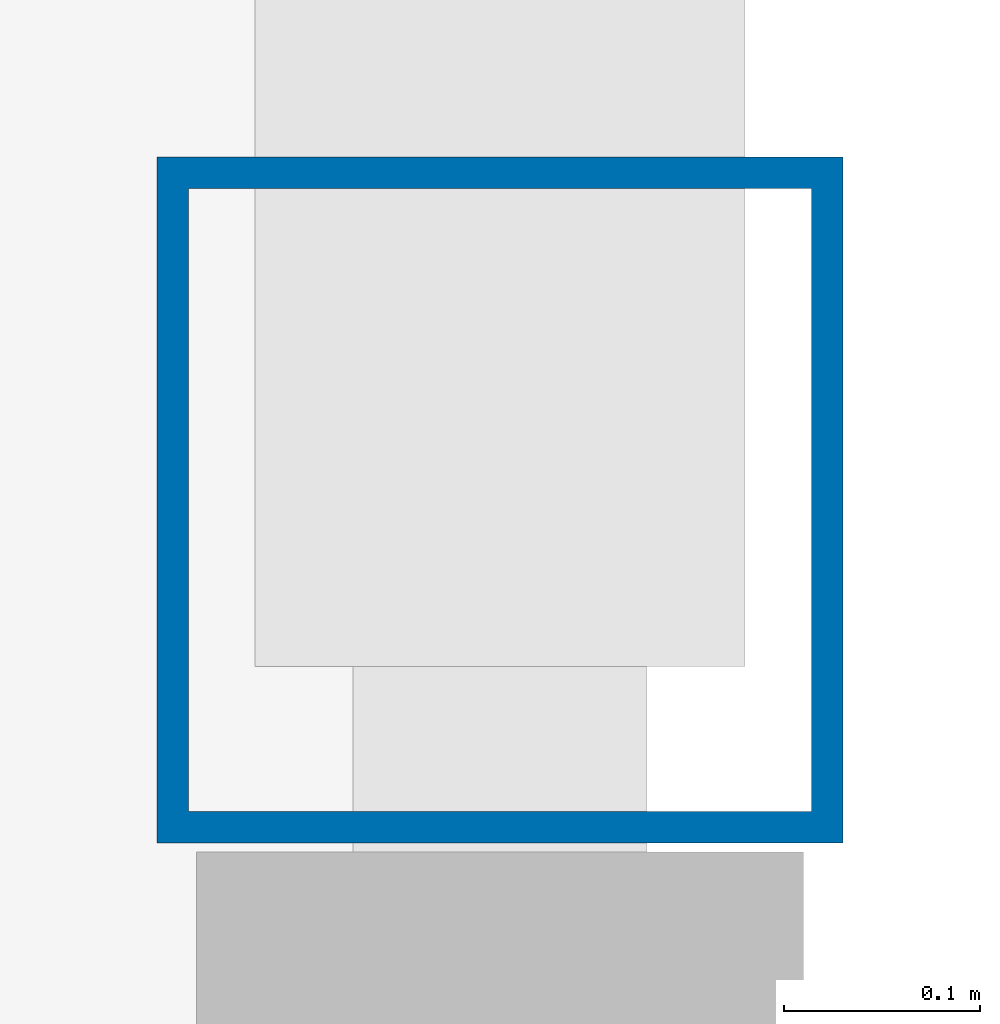
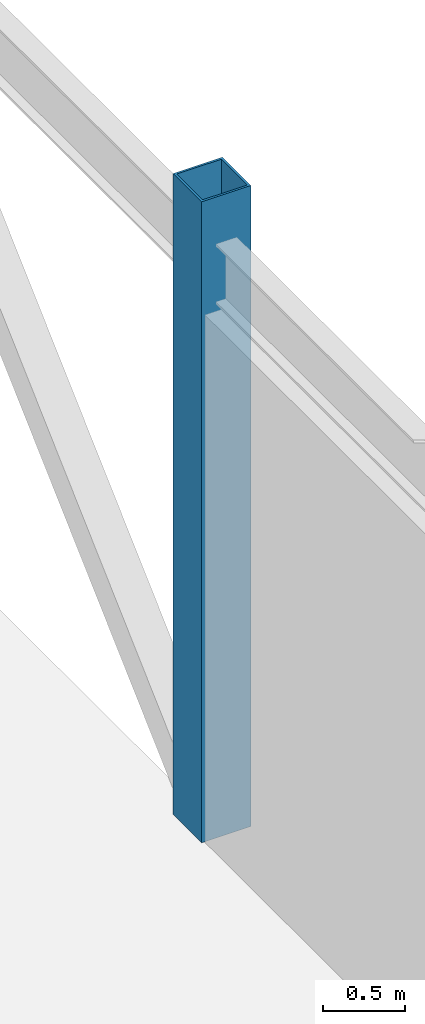
# One storey, part 12 of 82: 1 column.
"""IFC4 building model written with IfcOpenShell, lengths in metres."""

from ifc_helpers import new_model, si_unit, direction, frame, origin, origin_2d, place, context, subcontext, project, spatial, hollow_rectangle, extrude, material, material_profile, profile_set, type_object, element, save


model = new_model("IFC4")

# Units and contexts
model_context = context("Model", 3, precision=1e-05, world=origin(), true_north=direction((0.0, 1.0)))
body_context = subcontext(model_context, "Body", "Model", "MODEL_VIEW")
ifc_project = project(units=[si_unit("LENGTHUNIT", "METRE"), si_unit("AREAUNIT", "SQUARE_METRE"), si_unit("VOLUMEUNIT", "CUBIC_METRE"), si_unit("PLANEANGLEUNIT", "RADIAN"), si_unit("MASSUNIT", "GRAM", prefix="KILO")], contexts=[model_context])

# Site, building, storey
site_placement = place(None, origin())
site = spatial("IfcSite", under=ifc_project, at=site_placement, CompositionType="ELEMENT")
building_placement = place(site_placement, origin())
building = spatial("IfcBuilding", under=site, at=building_placement, Name="Suirenkawa Promenade Aquatics Centre", CompositionType="ELEMENT")
storey_placement = place(building_placement, origin())
storey = spatial("IfcBuildingStorey", under=building, at=storey_placement, Name="L00", CompositionType="ELEMENT", Elevation=0.0)

# Column
ifc_material = material(Name="Steel IS 2062 E350 (Grade 350)", Category="steel")
ifc_material_profile = material_profile(ifc_material, hollow_rectangle(XDim=0.35009765625, YDim=0.35009765625, WallThickness=0.01611328125, at=origin_2d()), Name="SHS 350x350x16", Category="steel")
ifc_profile_set = profile_set([ifc_material_profile], Name="Steel IS 2062 E350 (Grade 350)")
column_type = type_object("IfcColumnType", Name="CT-STL-SHS350", PredefinedType="COLUMN", material=ifc_profile_set)
column_placement = place(storey_placement, frame((194.39990234375, 59.39990234375, 0.0), z_axis=(0.0, 0.0, 1.0), x_axis=(1.0, 0.0, 0.0)))
element("IfcColumn", 1, at=column_placement, inside=storey, type_object=column_type, Name="Column CL-15 COL-0629", PredefinedType="COLUMN", context=body_context, shape_type="SweptSolid", body=[
    extrude(hollow_rectangle(XDim=0.35009765625, YDim=0.35009765625, WallThickness=0.01611328125, at=origin_2d()), origin(), (0.0, 0.0, 1.0), 4.800048828125),
])

save(model, "model.ifc")
